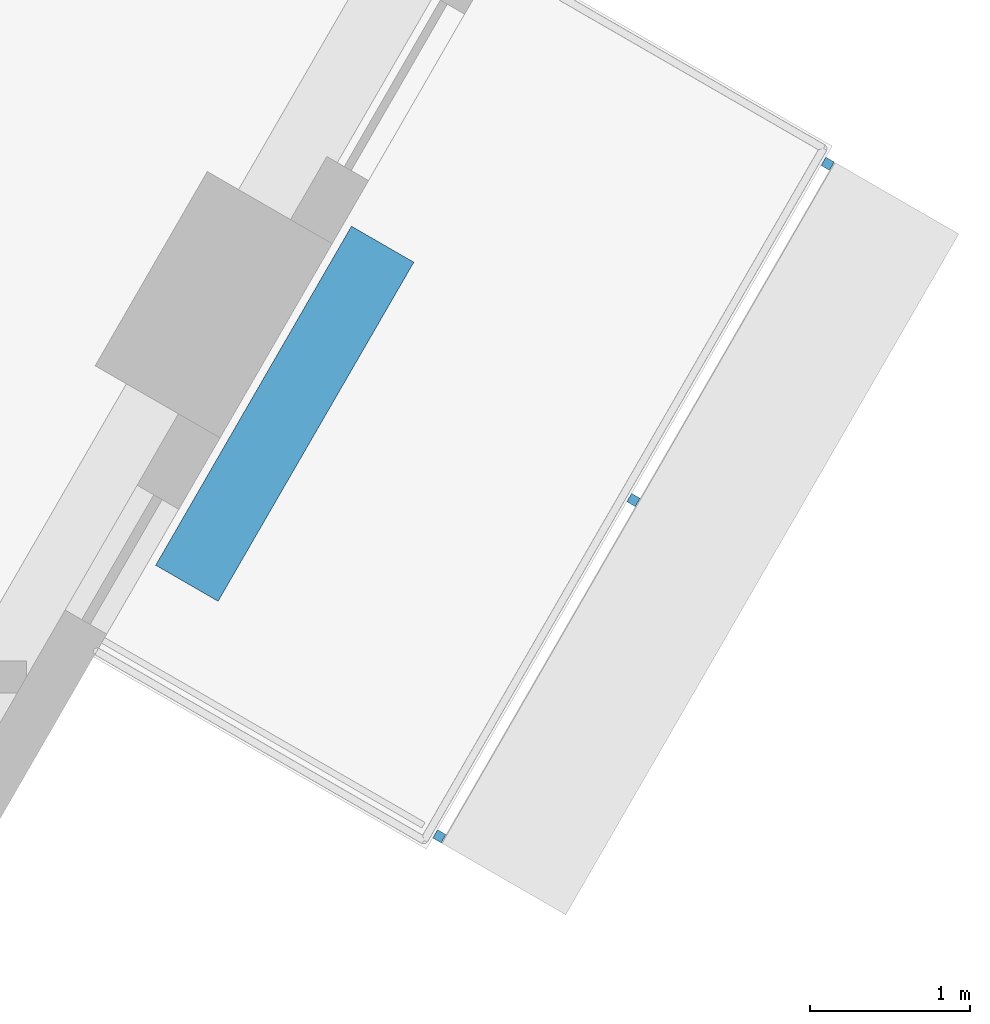
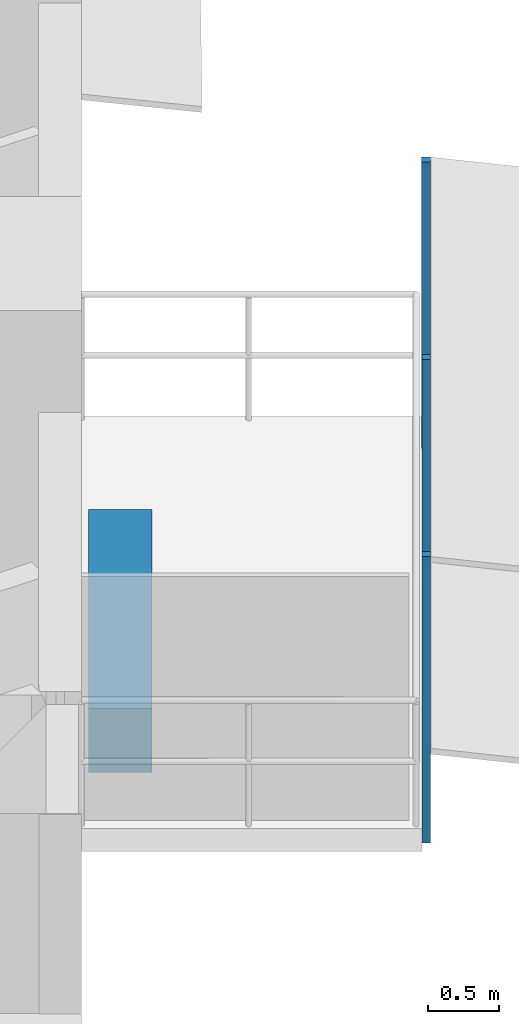
# One storey, part 10 of 14: 4 discrete accessories.
"""IFC4 building model written with IfcOpenShell, lengths in metres."""

from ifc_helpers import new_model, si_unit, direction, frame, origin, origin_2d, place, context, subcontext, project, spatial, rectangle, extrude, material, type_object, element, save


model = new_model("IFC4")

# Units and contexts
model_context = context("Model", 3, precision=1e-05, world=origin(), true_north=direction((0.0, 1.0)))
body_context = subcontext(model_context, "Body", "Model", "MODEL_VIEW")
ifc_project = project(units=[si_unit("LENGTHUNIT", "METRE"), si_unit("AREAUNIT", "SQUARE_METRE"), si_unit("VOLUMEUNIT", "CUBIC_METRE"), si_unit("PLANEANGLEUNIT", "RADIAN"), si_unit("MASSUNIT", "GRAM", prefix="KILO")], contexts=[model_context])

# Site, building, storey
site_placement = place(None, origin())
site = spatial("IfcSite", under=ifc_project, at=site_placement, CompositionType="ELEMENT")
building_placement = place(site_placement, origin())
building = spatial("IfcBuilding", under=site, at=building_placement, Name="Nakaniwa Court", CompositionType="ELEMENT")
storey_placement = place(building_placement, frame((0.0, 0.0, 107.39990234375)))
storey = spatial("IfcBuildingStorey", under=building, at=storey_placement, Name="L28", CompositionType="ELEMENT", Elevation=107.39990234375)

# Discrete accessories
ifc_material_1 = material(Name="Black powder-coated steel bracket S275", Category="steel")
discrete_accessory_type_1 = type_object("IfcDiscreteAccessoryType", Name="Black metal louvre bracket", PredefinedType="BRACKET", material=ifc_material_1)
for number, where, z_axis, x_axis, name in (
    (1, (101.7177734375, 64.755859375, -0.229736328125), (0.0, 0.0, 1.0), (0.499974304289, 0.866040238702, 0.0), "L28 louvre bracket 02 1"),
    (2, (102.929931640625, 66.855712890625, -0.229736328125), (0.0, 0.0, 1.0), (0.499974304289, 0.866040238702, 0.0), "L28 louvre bracket 02 2"),
    (3, (104.14208984375, 68.95556640625, -0.229736328125), (0.0, 0.0, 1.0), (0.499974304289, 0.866040238702, 0.0), "L28 louvre bracket 02 3"),
):
    element("IfcDiscreteAccessory", number, at=place(storey_placement, frame(where, z_axis=z_axis, x_axis=x_axis)), inside=storey, type_object=discrete_accessory_type_1, Name=name, PredefinedType="BRACKET", context=body_context, shape_type="SweptSolid", body=[
        extrude(rectangle(XDim=0.06005859375, YDim=0.06005859375, at=origin_2d()), origin(), (0.0, 0.0, 1.0), 2.46337890625),
    ])
ifc_material_2 = material(Name="Precast concrete C40/50 planter with planted soil", Category="concrete")
discrete_accessory_type_2 = type_object("IfcDiscreteAccessoryType", Name="Planter box charcoal concrete", PredefinedType="USERDEFINED", material=ifc_material_2)
discrete_accessory_placement = place(storey_placement, frame((100.75244140625, 67.394287109375, -0.0498046875), z_axis=(0.0, 0.0, 1.0), x_axis=(0.499974304289, 0.866040238702, 0.0)))
element("IfcDiscreteAccessory", 4, at=discrete_accessory_placement, inside=storey, type_object=discrete_accessory_type_2, Name="L28 balcony PLANTER 02", ObjectType="PLANTER", PredefinedType="USERDEFINED", context=body_context, shape_type="SweptSolid", body=[
    extrude(rectangle(XDim=2.444580078125, YDim=0.449951171875, at=origin_2d()), origin(), (0.0, 0.0, 1.0), 0.550048828125),
])

save(model, "model.ifc")
